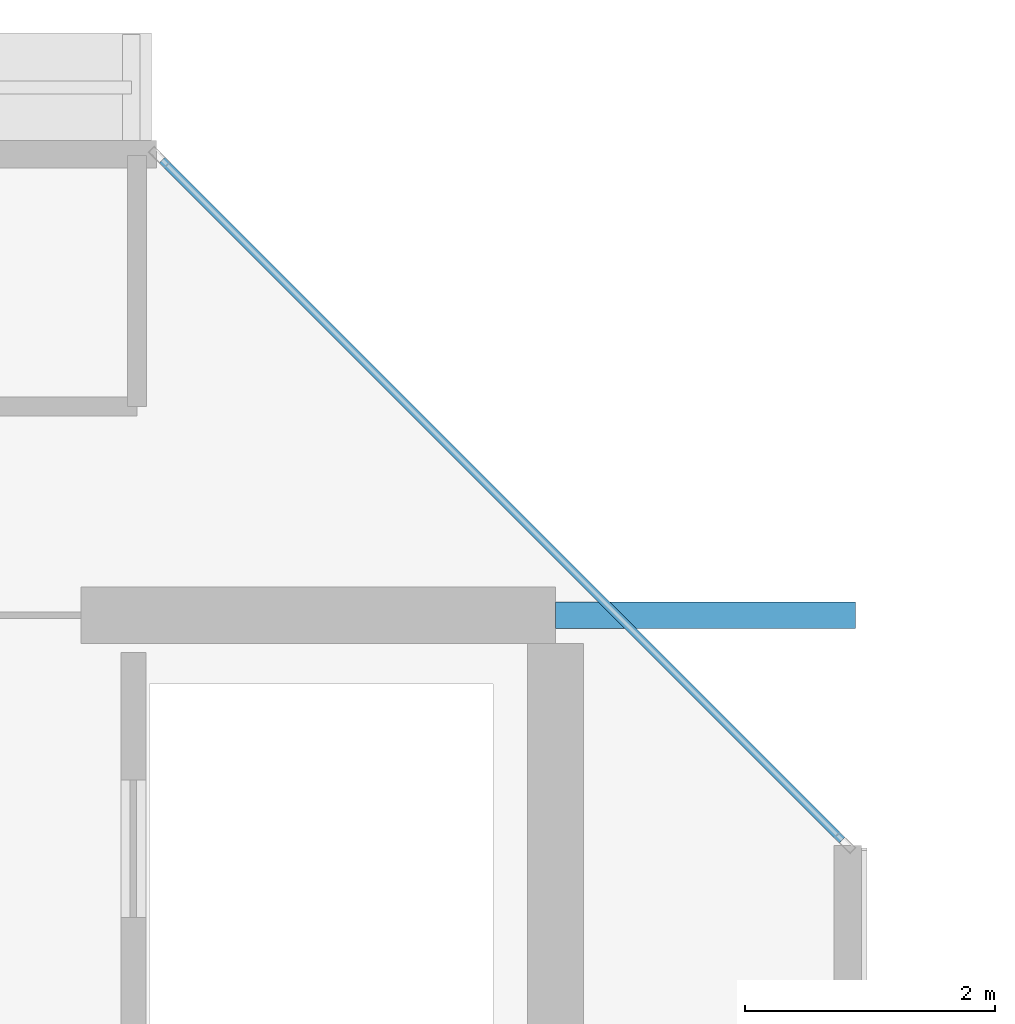
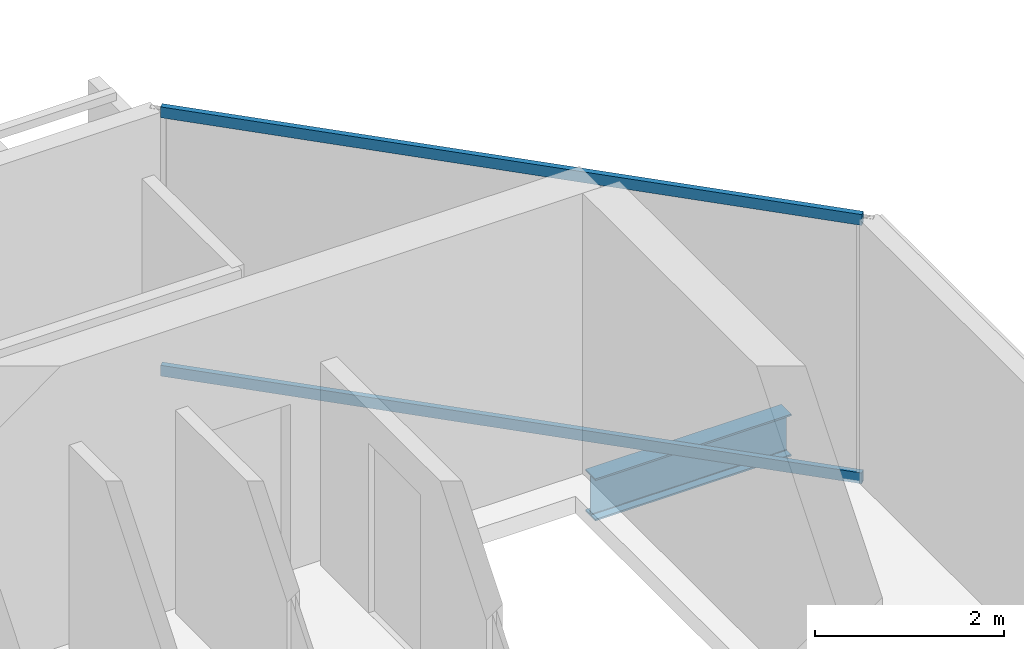
# One storey, part 6 of 28: 2 members, 1 beam, 1 element without a shape of its own.
"""IFC4 building model written with IfcOpenShell, lengths in metres."""

from ifc_helpers import new_model, si_unit, direction, frame, origin, origin_2d, place, context, subcontext, project, spatial, hollow_rectangle, i_section, extrude, material, layer, layer_set, material_profile, profile_set, type_object, element, aggregate, save


model = new_model("IFC4")

# Units and contexts
model_context = context("Model", 3, precision=1e-05, world=origin(), true_north=direction((0.0, 1.0)))
body_context = subcontext(model_context, "Body", "Model", "MODEL_VIEW")
ifc_project = project(units=[si_unit("LENGTHUNIT", "METRE"), si_unit("AREAUNIT", "SQUARE_METRE"), si_unit("VOLUMEUNIT", "CUBIC_METRE"), si_unit("PLANEANGLEUNIT", "RADIAN"), si_unit("MASSUNIT", "GRAM", prefix="KILO")], contexts=[model_context])

# Site, building, storey
site_placement = place(None, origin())
site = spatial("IfcSite", under=ifc_project, at=site_placement, CompositionType="ELEMENT")
building_placement = place(site_placement, origin())
building = spatial("IfcBuilding", under=site, at=building_placement, Name="Tanjung Sevakor Pilgrim Tower", CompositionType="ELEMENT")
storey_placement = place(building_placement, frame((0.0, 0.0, 242.550048828125)))
storey = spatial("IfcBuildingStorey", under=building, at=storey_placement, Name="L68", CompositionType="ELEMENT", Elevation=242.550048828125)

# Beam
ifc_material_1 = material(Name="Steel S355J2", Category="steel")
ifc_material_profile_1 = material_profile(ifc_material_1, i_section(OverallWidth=0.2119140625, OverallDepth=0.54443359375, WebThickness=0.0126953125, FlangeThickness=0.021240234375, FilletRadius=0.0126953125, at=origin_2d()))
ifc_profile_set_1 = profile_set([ifc_material_profile_1], Name="Steel S355J2")
beam_type = type_object("IfcBeamType", Name="BM-B-G5-UB_533x210x122", PredefinedType="BEAM", material=ifc_profile_set_1)
beam_placement = place(storey_placement, frame((36.0, 42.60009765625, -0.492431640625), z_axis=(1.0, 0.0, 0.0), x_axis=(0.0, 1.0, 0.0)))
element("IfcBeam", 1, at=beam_placement, inside=storey, type_object=beam_type, Name="L68 West Peak Cantilever Girder 2", PredefinedType="BEAM", context=body_context, shape_type="SweptSolid", body=[
    extrude(i_section(OverallWidth=0.2119140625, OverallDepth=0.54443359375, WebThickness=0.0126953125, FlangeThickness=0.021240234375, FilletRadius=0.0126953125, at=origin_2d()), origin(), (0.0, 0.0, 1.0), 2.39990234375),
])

# Curtain wall, members
ifc_material_2 = material(Name="Aluminium 6063-T6 and Low-E Glass", Category="aluminium")
ifc_layer = layer(ifc_material_2, 0.179931640625)
ifc_layer_set = layer_set([ifc_layer], Name="CW-SYS-CHAM")
curtain_wall_type = type_object("IfcCurtainWallType", Name="CW-SYS-CHAM", PredefinedType="NOTDEFINED", material=ifc_layer_set)
curtain_wall_placement = place(storey_placement, origin())
curtain_wall = element("IfcCurtainWall", 2, at=curtain_wall_placement, inside=storey, type_object=curtain_wall_type, Name="L68 Curtain Wall CW-CHM-L68-WEST-3", PredefinedType="NOTDEFINED")
ifc_material_3 = material(Name="Aluminium 6063-T6", Category="aluminium")
ifc_material_profile_2 = material_profile(ifc_material_3, hollow_rectangle(XDim=0.06494140625, YDim=0.139892578125, WallThickness=0.00390625, at=origin_2d()))
ifc_profile_set_2 = profile_set([ifc_material_profile_2], Name="Aluminium 6063-T6")
member_type = type_object("IfcMemberType", Name="TYPE-CWT-1", PredefinedType="USERDEFINED", material=ifc_profile_set_2)
member_1_placement = place(storey_placement, frame((38.2939453125, 40.80029296875, 0.032470703125), z_axis=(-0.707090924819, 0.707122637198, 0.0), x_axis=(-0.707122637198, -0.707090924819, 0.0)))
member_1 = element("IfcMember", 3, at=member_1_placement, type_object=member_type, Name="CW-CHM transom 1.1", ObjectType="TRANSOM", PredefinedType="USERDEFINED", context=body_context, shape_type="SweptSolid", body=[
    extrude(hollow_rectangle(XDim=0.06494140625, YDim=0.139892578125, WallThickness=0.00390625, at=origin_2d()), origin(), (0.0, 0.0, 1.0), 7.698486328125),
])
member_2_placement = place(storey_placement, frame((38.2939453125, 40.80029296875, 3.37744140625), z_axis=(-0.707090924819, 0.707122637198, 0.0), x_axis=(-0.707122637198, -0.707090924819, 0.0)))
member_2 = element("IfcMember", 4, at=member_2_placement, type_object=member_type, Name="CW-CHM transom 1.2", ObjectType="TRANSOM", PredefinedType="USERDEFINED", context=body_context, shape_type="SweptSolid", body=[
    extrude(hollow_rectangle(XDim=0.06494140625, YDim=0.139892578125, WallThickness=0.00390625, at=origin_2d()), origin(), (0.0, 0.0, 1.0), 7.698486328125),
])
aggregate(curtain_wall, [member_1, member_2])

save(model, "model.ifc")
